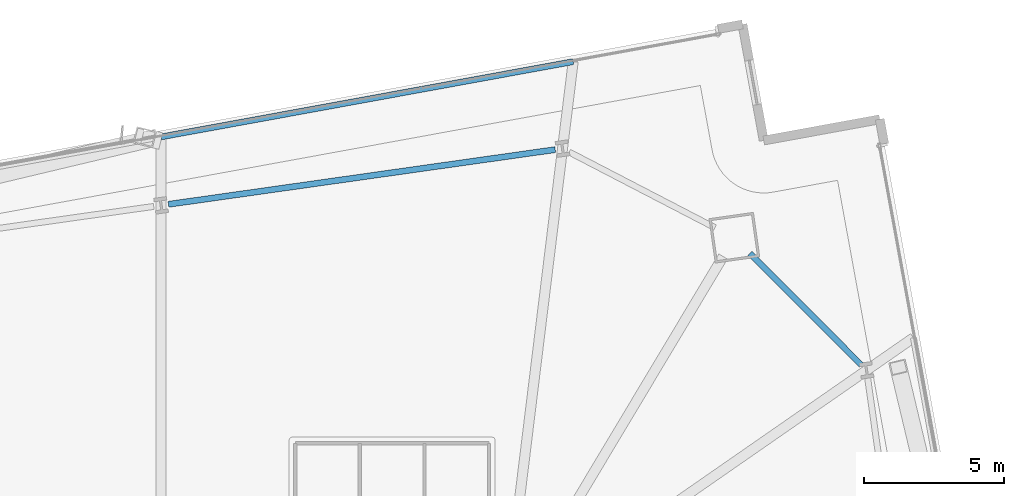
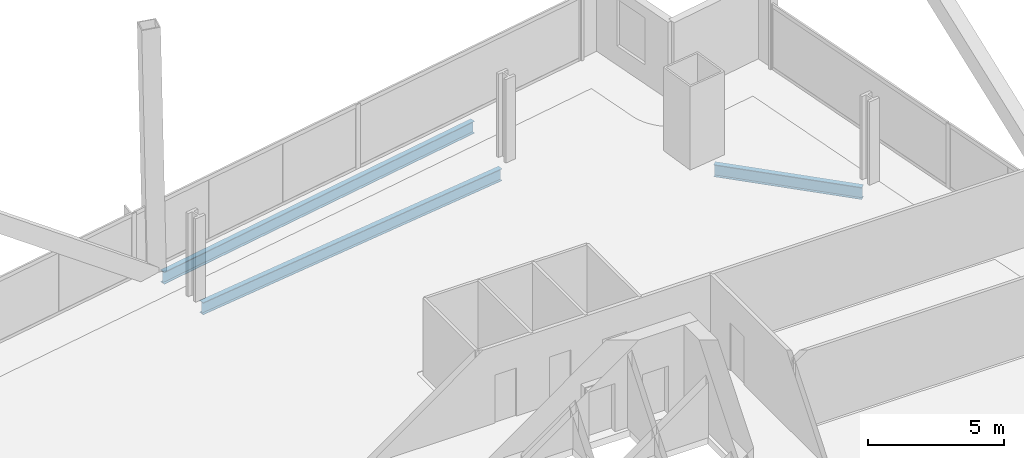
# One storey, part 22 of 34: 3 beams.
"""IFC4 building model written with IfcOpenShell, lengths in metres."""

from ifc_helpers import new_model, si_unit, direction, frame, origin, origin_2d, place, context, subcontext, project, spatial, i_section, extrude, material, material_profile, profile_set, type_object, element, save


model = new_model("IFC4")

# Units and contexts
model_context = context("Model", 3, precision=1e-05, world=origin(), true_north=direction((0.0, 1.0)))
body_context = subcontext(model_context, "Body", "Model", "MODEL_VIEW")
ifc_project = project(units=[si_unit("LENGTHUNIT", "METRE"), si_unit("AREAUNIT", "SQUARE_METRE"), si_unit("VOLUMEUNIT", "CUBIC_METRE"), si_unit("PLANEANGLEUNIT", "RADIAN"), si_unit("MASSUNIT", "GRAM", prefix="KILO")], contexts=[model_context])

# Site, building, storey
site_placement = place(None, origin())
site = spatial("IfcSite", under=ifc_project, at=site_placement, CompositionType="ELEMENT")
building_placement = place(site_placement, origin())
building = spatial("IfcBuilding", under=site, at=building_placement, Name="Haldenkirk Collegiate Tower", CompositionType="ELEMENT")
storey_placement = place(building_placement, frame((0.0, 0.0, 62.699951171875)))
storey = spatial("IfcBuildingStorey", under=building, at=storey_placement, Name="L14", CompositionType="ELEMENT", Elevation=62.699951171875)

# Beams
ifc_material = material(Name="Steel ASTM A992 Grade 50", Category="steel")
ifc_material_profile = material_profile(ifc_material, i_section(OverallWidth=0.2119140625, OverallDepth=0.5439453125, WebThickness=0.01318359375, FlangeThickness=0.021240234375, at=origin_2d()), Name="W21X83")
ifc_profile_set = profile_set([ifc_material_profile], Name="Steel ASTM A992 Grade 50")
beam_type = type_object("IfcBeamType", Name="BM-SPANDREL-W21X83", PredefinedType="SPANDREL", material=ifc_profile_set)
beam_1_placement = place(storey_placement, frame((57.70556640625, 43.135986328125, -0.58203125), z_axis=(-0.706085689957, 0.708126400043, 0.0), x_axis=(-0.708126400043, -0.706085689957, 0.0)))
element("IfcBeam", 1, at=beam_1_placement, inside=storey, type_object=beam_type, Name="L14 perimeter spandrel beam 08", PredefinedType="SPANDREL", context=body_context, shape_type="SweptSolid", body=[
    extrude(i_section(OverallWidth=0.2119140625, OverallDepth=0.5439453125, WebThickness=0.01318359375, FlangeThickness=0.021240234375, at=origin_2d()), origin(), (0.0, 0.0, 1.0), 5.622802734375),
])
beam_2_placement = place(storey_placement, frame((46.803955078125, 50.807373046875, -0.58203125), z_axis=(-0.990146197746, -0.14003752029, 0.0), x_axis=(0.14003752029, -0.990146197746, 0.0)))
element("IfcBeam", 2, at=beam_2_placement, inside=storey, type_object=beam_type, Name="L14 perimeter spandrel beam 10", PredefinedType="SPANDREL", context=body_context, shape_type="SweptSolid", body=[
    extrude(i_section(OverallWidth=0.2119140625, OverallDepth=0.5439453125, WebThickness=0.01318359375, FlangeThickness=0.021240234375, at=origin_2d()), origin(), (0.0, 0.0, 1.0), 13.906982421875),
])
beam_3_placement = place(storey_placement, frame((47.44580078125, 53.94091796875, -0.58203125), z_axis=(-0.983727925594, -0.179664599758, 0.0), x_axis=(0.179664599758, -0.983727925594, 0.0)))
element("IfcBeam", 3, at=beam_3_placement, inside=storey, type_object=beam_type, Name="L14 outer facade edge beam 3A", PredefinedType="SPANDREL", context=body_context, shape_type="SweptSolid", body=[
    extrude(i_section(OverallWidth=0.2119140625, OverallDepth=0.5439453125, WebThickness=0.01318359375, FlangeThickness=0.021240234375, at=origin_2d()), origin(), (0.0, 0.0, 1.0), 14.916259765625),
])

save(model, "model.ifc")
